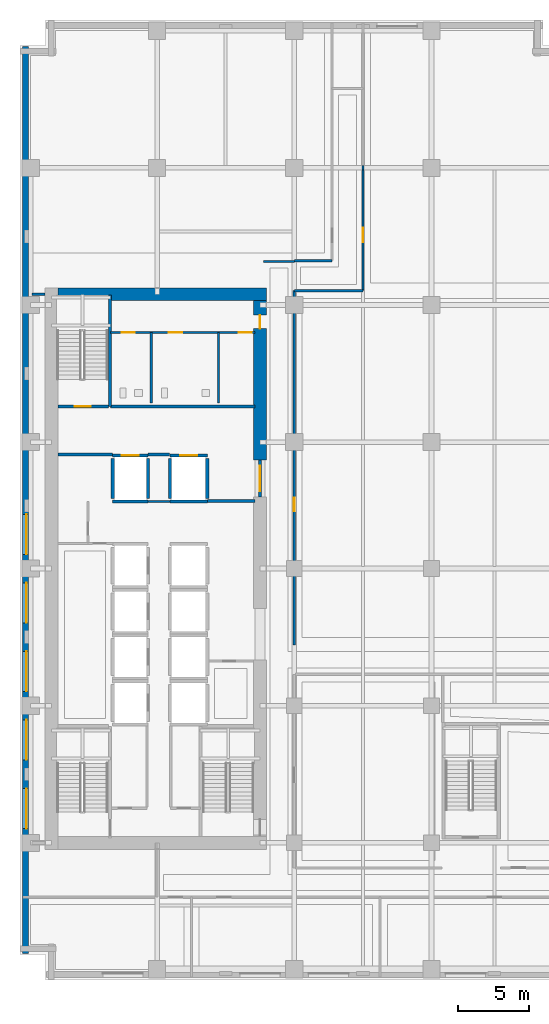
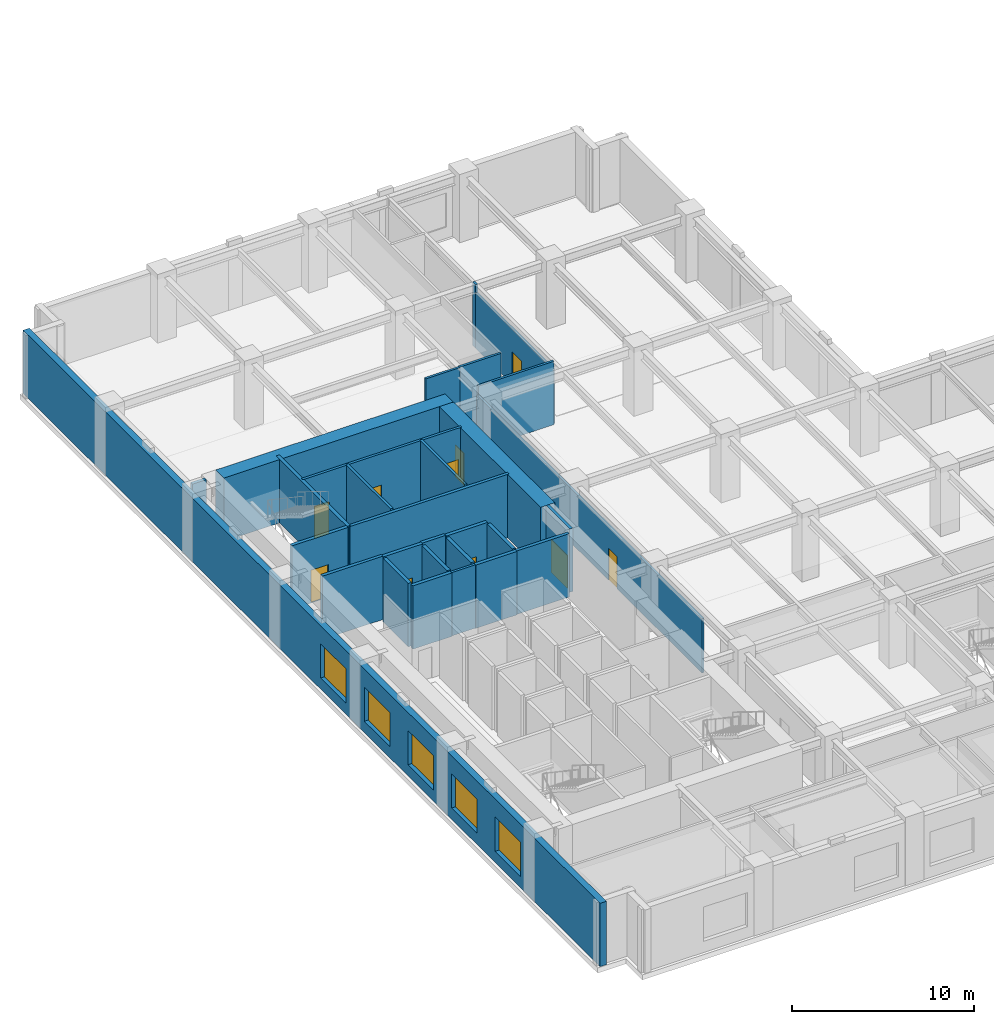
# One storey, part 7 of 24: 29 walls, 10 doors, 5 windows, 15 openings.
"""IFC4 building model written with IfcOpenShell, lengths in metres."""

from ifc_helpers import new_model, si_unit, direction, frame, frame_2d, origin, place, context, subcontext, project, spatial, rectangle, extrude, material, layer, layer_set, type_object, element, fill, save


model = new_model("IFC4")

# Units and contexts
model_context = context("Model", 3, precision=1e-05, world=origin(), true_north=direction((0.0, 1.0)))
body_context = subcontext(model_context, "Body", "Model", "MODEL_VIEW")
ifc_project = project(units=[si_unit("LENGTHUNIT", "METRE"), si_unit("AREAUNIT", "SQUARE_METRE"), si_unit("VOLUMEUNIT", "CUBIC_METRE"), si_unit("PLANEANGLEUNIT", "RADIAN"), si_unit("MASSUNIT", "GRAM", prefix="KILO")], contexts=[model_context])

# Site, building, storey
site_placement = place(None, origin())
site = spatial("IfcSite", under=ifc_project, at=site_placement, CompositionType="ELEMENT")
building_placement = place(site_placement, origin())
building = spatial("IfcBuilding", under=site, at=building_placement, Name="Norrvale University Quadrangle", CompositionType="ELEMENT")
storey_placement = place(building_placement, frame((0.0, 0.0, 10.39990234375)))
storey = spatial("IfcBuildingStorey", under=building, at=storey_placement, Name="L02", CompositionType="ELEMENT", Elevation=10.39990234375)

# Wall
ifc_material_1 = material(Name="Concrete C80/95", Category="concrete")
ifc_layer_1 = layer(ifc_material_1, 0.89990234375, Name="Concrete C80/95")
ifc_layer_set_1 = layer_set([ifc_layer_1], Name="Concrete C80/95")
wall_type_1 = type_object("IfcWallType", Name="Wall Core 900", PredefinedType="SHEAR", material=ifc_layer_set_1)
wall_1_placement = place(storey_placement, frame((2.64990234375, 48.0, 0.0), z_axis=(0.0, 0.0, 1.0), x_axis=(1.0, 0.0, 0.0)))
element("IfcWall", 1, at=wall_1_placement, inside=storey, type_object=wall_type_1, Name="Tower Core Shear Wall L02-N", PredefinedType="SHEAR", context=body_context, shape_type="SweptSolid", body=[
    extrude(rectangle(XDim=14.60009765625, YDim=0.89990234375, at=frame_2d((7.300048828125, 0.0))), origin(), (0.0, 0.0, 1.0), 4.260009765625),
])

# Wall, opening, door
wall_2_placement = place(storey_placement, frame((16.800048828125, 36.39990234375, 0.0), z_axis=(0.0, 0.0, 1.0), x_axis=(0.0, 1.0, 0.0)))
wall_2 = element("IfcWall", 2, at=wall_2_placement, inside=storey, type_object=wall_type_1, Name="Tower Core Shear Wall L02-E3", PredefinedType="SHEAR", context=body_context, shape_type="SweptSolid", body=[
    extrude(rectangle(XDim=11.150146484375, YDim=0.89990234375, at=frame_2d((5.5751953125, 0.0))), origin(), (0.0, 0.0, 1.0), 4.260009765625),
])
opening_1_placement = place(wall_2_placement, frame((9.199951171875, 0.0, 0.0)))
opening_1 = element("IfcOpeningElement", 3, at=opening_1_placement, cuts=wall_2, Name="Opening D07", PredefinedType="OPENING", context=body_context, shape_type="SweptSolid", body=[
    extrude(rectangle(XDim=0.949951171875, YDim=2.14990234375, at=frame_2d((0.47509765625, 1.074951171875))), frame((0.0, 0.4619140625, 0.0), z_axis=(0.0, -1.0, 0.0), x_axis=(1.0, 0.0, 0.0)), (0.0, 0.0, 1.0), 0.923828125),
])
ifc_material_2 = material(Name="Solid-Core Maple Door", Category="wood")
door_type_1 = type_object("IfcDoorType", Name="Door Office 950x2150", OperationType="NOTDEFINED", PredefinedType="DOOR", material=ifc_material_2)
door_1_placement = place(opening_1_placement, origin())
door_1 = element("IfcDoor", 4, at=door_1_placement, inside=storey, type_object=door_type_1, Name="Door Office 950x2150 DR-L02-NECORR", OperationType="SINGLE_SWING_LEFT", OverallHeight=2.14990234375, OverallWidth=0.949951171875, PredefinedType="DOOR", context=body_context, shape_type="SweptSolid", body=[
    extrude(rectangle(XDim=0.949951171875, YDim=2.14990234375, at=frame_2d((0.47509765625, 1.074951171875))), frame((0.0, 0.02490234375, 0.0), z_axis=(0.0, -1.0, 0.0), x_axis=(1.0, 0.0, 0.0)), (0.0, 0.0, 1.0), 0.050048828125),
])
fill(opening_1, door_1)

# Walls
ifc_material_3 = material(Name="Fire-Rated Gypsum Stud Partition")
ifc_layer_2 = layer(ifc_material_3, 0.14990234375, Name="Fire-Rated Gypsum Stud Partition")
ifc_layer_set_2 = layer_set([ifc_layer_2], Name="Fire-Rated Gypsum Stud Partition")
wall_type_2 = type_object("IfcWallType", Name="Wall Gypsum Corridor 150", PredefinedType="PARTITIONING", material=ifc_layer_set_2)
wall_3_placement = place(storey_placement, frame((8.965087890625, 33.489990234375, 0.0), z_axis=(0.0, 0.0, 1.0), x_axis=(1.0, 0.0, 0.0)))
element("IfcWall", 5, at=wall_3_placement, inside=storey, type_object=wall_type_2, Name="Interior Partition WL-L02-LL3", PredefinedType="PARTITIONING", context=body_context, shape_type="SweptSolid", body=[
    extrude(rectangle(XDim=1.52001953125, YDim=0.14990234375, at=frame_2d((0.760009765625, 0.0))), origin(), (0.0, 0.0, 1.0), 4.260009765625),
])
wall_4_placement = place(storey_placement, frame((17.050048828125, 50.300048828125, 0.0), z_axis=(0.0, 0.0, 1.0), x_axis=(1.0, 0.0, 0.0)))
element("IfcWall", 6, at=wall_4_placement, inside=storey, type_object=wall_type_2, Name="Interior Partition WL-L02-CN-END", PredefinedType="PARTITIONING", context=body_context, shape_type="SweptSolid", body=[
    extrude(rectangle(XDim=2.14990234375, YDim=0.14990234375, at=frame_2d((1.074951171875, 0.0))), origin(), (0.0, 0.0, 1.0), 4.260009765625),
])

# Wall, opening, door
wall_5_placement = place(storey_placement, frame((19.199951171875, 23.449951171875, 0.0), z_axis=(0.0, 0.0, 1.0), x_axis=(0.0, 1.0, 0.0)))
wall_5 = element("IfcWall", 7, at=wall_5_placement, inside=storey, type_object=wall_type_2, Name="Interior Partition WL-L02-MNECW", PredefinedType="PARTITIONING", context=body_context, shape_type="SweptSolid", body=[
    extrude(rectangle(XDim=24.800048828125, YDim=0.14990234375, at=frame_2d((12.39990234375, 0.0))), origin(), (0.0, 0.0, 1.0), 3.64404296875),
])
opening_2_placement = place(wall_5_placement, frame((9.35009765625, 0.0, 0.0)))
opening_2 = element("IfcOpeningElement", 8, at=opening_2_placement, cuts=wall_5, Name="Opening D07", PredefinedType="OPENING", context=body_context, shape_type="SweptSolid", body=[
    extrude(rectangle(XDim=0.949951171875, YDim=2.14990234375, at=frame_2d((0.47509765625, 1.074951171875))), frame((0.0, 0.0869140625, 0.0), z_axis=(0.0, -1.0, 0.0), x_axis=(1.0, 0.0, 0.0)), (0.0, 0.0, 1.0), 0.173828125),
])
door_2_placement = place(opening_2_placement, origin())
door_2 = element("IfcDoor", 9, at=door_2_placement, inside=storey, type_object=door_type_1, Name="Door Office 950x2150 DR-L02-MNE01", OperationType="SINGLE_SWING_RIGHT", OverallHeight=2.14990234375, OverallWidth=0.949951171875, PredefinedType="DOOR", context=body_context, shape_type="SweptSolid", body=[
    extrude(rectangle(XDim=0.949951171875, YDim=2.14990234375, at=frame_2d((0.47509765625, 1.074951171875))), frame((0.0, 0.02490234375, 0.0), z_axis=(0.0, -1.0, 0.0), x_axis=(1.0, 0.0, 0.0)), (0.0, 0.0, 1.0), 0.050048828125),
])
fill(opening_2, door_2)

# Walls
wall_6_placement = place(storey_placement, frame((19.199951171875, 48.25, 0.0), z_axis=(0.0, 0.0, 1.0), x_axis=(1.0, 0.0, 0.0)))
element("IfcWall", 10, at=wall_6_placement, inside=storey, type_object=wall_type_2, Name="Interior Partition WL-L02-JOGS", PredefinedType="PARTITIONING", context=body_context, shape_type="SweptSolid", body=[
    extrude(rectangle(XDim=4.800048828125, YDim=0.14990234375, at=frame_2d((2.39990234375, 0.0))), origin(), (0.0, 0.0, 1.0), 4.260009765625),
])
wall_7_placement = place(storey_placement, frame((19.199951171875, 50.35009765625, 0.0), z_axis=(0.0, 0.0, 1.0), x_axis=(1.0, 0.0, 0.0)))
element("IfcWall", 11, at=wall_7_placement, inside=storey, type_object=wall_type_2, Name="Interior Partition WL-L02-JOGN", PredefinedType="PARTITIONING", context=body_context, shape_type="SweptSolid", body=[
    extrude(rectangle(XDim=2.650146484375, YDim=0.14990234375, at=frame_2d((1.3251953125, 0.0))), origin(), (0.0, 0.0, 1.0), 4.260009765625),
])

# Wall, opening, door
wall_8_placement = place(storey_placement, frame((24.0, 48.25, 0.0), z_axis=(0.0, 0.0, 1.0), x_axis=(0.0, 1.0, 0.0)))
wall_8 = element("IfcWall", 12, at=wall_8_placement, inside=storey, type_object=wall_type_2, Name="Interior Partition WL-L02-NECW", PredefinedType="PARTITIONING", context=body_context, shape_type="SweptSolid", body=[
    extrude(rectangle(XDim=8.4375, YDim=0.14990234375, at=frame_2d((4.21875, 0.0))), origin(), (0.0, 0.0, 1.0), 3.716064453125),
])
opening_3_placement = place(wall_8_placement, frame((3.39990234375, 0.0, 0.0)))
opening_3 = element("IfcOpeningElement", 13, at=opening_3_placement, cuts=wall_8, Name="Opening D04", PredefinedType="OPENING", context=body_context, shape_type="SweptSolid", body=[
    extrude(rectangle(XDim=1.0, YDim=2.199951171875, at=frame_2d((0.5, 1.10009765625))), frame((0.0, 0.0869140625, 0.0), z_axis=(0.0, -1.0, 0.0), x_axis=(1.0, 0.0, 0.0)), (0.0, 0.0, 1.0), 0.173828125),
])
ifc_material_4 = material(Name="Solid-Core Oak Fire Door", Category="wood")
door_type_2 = type_object("IfcDoorType", Name="Door Corridor 1000x2200", OperationType="NOTDEFINED", PredefinedType="DOOR", material=ifc_material_4)
door_3_placement = place(opening_3_placement, origin())
door_3 = element("IfcDoor", 14, at=door_3_placement, inside=storey, type_object=door_type_2, Name="Door Corridor 1000x2200 DR-L02-NE01", OperationType="SINGLE_SWING_RIGHT", OverallHeight=2.199951171875, OverallWidth=1.0, PredefinedType="DOOR", context=body_context, shape_type="SweptSolid", body=[
    extrude(rectangle(XDim=1.0, YDim=2.199951171875, at=frame_2d((0.5, 1.10009765625))), frame((0.0, 0.02490234375, 0.0), z_axis=(0.0, -1.0, 0.0), x_axis=(1.0, 0.0, 0.0)), (0.0, 0.0, 1.0), 0.050048828125),
])
fill(opening_3, door_3)

# Wall
wall_9_placement = place(storey_placement, frame((24.0, 56.6875, 0.0), z_axis=(0.0, 0.0, 1.0), x_axis=(0.0, 1.0, 0.0)))
element("IfcWall", 15, at=wall_9_placement, inside=storey, type_object=wall_type_2, Name="Interior Partition WL-L02-NECW-B2", PredefinedType="PARTITIONING", context=body_context, shape_type="SweptSolid", body=[
    extrude(rectangle(XDim=0.324951171875, YDim=0.14990234375, at=frame_2d((0.16259765625, 0.0))), origin(), (0.0, 0.0, 1.0), 4.260009765625),
])

# Wall, openings, doors
ifc_material_5 = material(Name="Sanitary Chase Gypsum Partition")
ifc_layer_3 = layer(ifc_material_5, 0.1650390625, Name="Sanitary Chase Gypsum Partition")
ifc_layer_set_3 = layer_set([ifc_layer_3], Name="Sanitary Chase Gypsum Partition")
wall_type_3 = type_object("IfcWallType", Name="Wall Gypsum Sanitary 165", PredefinedType="PLUMBINGWALL", material=ifc_layer_set_3)
wall_10_placement = place(storey_placement, frame((6.320068359375, 45.320068359375, 0.0), z_axis=(0.0, 0.0, 1.0), x_axis=(1.0, 0.0, 0.0)))
wall_10 = element("IfcWall", 16, at=wall_10_placement, inside=storey, type_object=wall_type_3, Name="Interior Partition WL-L02-WCN", PredefinedType="PLUMBINGWALL", context=body_context, shape_type="SweptSolid", body=[
    extrude(rectangle(XDim=10.1298828125, YDim=0.1650390625, at=frame_2d((5.06494140625, 0.0))), origin(), (0.0, 0.0, 1.0), 4.260009765625),
])
opening_4_placement = place(wall_10_placement, frame((0.800048828125, 0.0, 0.0)))
opening_4 = element("IfcOpeningElement", 17, at=opening_4_placement, cuts=wall_10, Name="Opening D08", PredefinedType="OPENING", context=body_context, shape_type="SweptSolid", body=[
    extrude(rectangle(XDim=0.919921875, YDim=2.14990234375, at=frame_2d((0.4599609375, 1.074951171875))), frame((0.0, 0.094482421875, 0.0), z_axis=(0.0, -1.0, 0.0), x_axis=(1.0, 0.0, 0.0)), (0.0, 0.0, 1.0), 0.18896484375),
])
opening_5_placement = place(wall_10_placement, frame((4.10009765625, 0.0, 0.0)))
opening_5 = element("IfcOpeningElement", 18, at=opening_5_placement, cuts=wall_10, Name="Opening D08", PredefinedType="OPENING", context=body_context, shape_type="SweptSolid", body=[
    extrude(rectangle(XDim=0.919921875, YDim=2.14990234375, at=frame_2d((0.4599609375, 1.074951171875))), frame((0.0, 0.094482421875, 0.0), z_axis=(0.0, -1.0, 0.0), x_axis=(1.0, 0.0, 0.0)), (0.0, 0.0, 1.0), 0.18896484375),
])
opening_6_placement = place(wall_10_placement, frame((8.97998046875, 0.0, 0.0)))
opening_6 = element("IfcOpeningElement", 19, at=opening_6_placement, cuts=wall_10, Name="Opening D08", PredefinedType="OPENING", context=body_context, shape_type="SweptSolid", body=[
    extrude(rectangle(XDim=0.919921875, YDim=2.14990234375, at=frame_2d((0.4599609375, 1.074951171875))), frame((0.0, 0.094482421875, 0.0), z_axis=(0.0, -1.0, 0.0), x_axis=(1.0, 0.0, 0.0)), (0.0, 0.0, 1.0), 0.18896484375),
])
ifc_material_6 = material(Name="Laminate Washroom Door", Category="wood")
door_type_3 = type_object("IfcDoorType", Name="Door Washroom 920x2150", OperationType="NOTDEFINED", PredefinedType="DOOR", material=ifc_material_6)
door_4_placement = place(opening_4_placement, origin())
door_4 = element("IfcDoor", 20, at=door_4_placement, inside=storey, type_object=door_type_3, Name="Door Washroom 920x2150 DR-L02-WC1", OperationType="SINGLE_SWING_LEFT", OverallHeight=2.14990234375, OverallWidth=0.919921875, PredefinedType="DOOR", context=body_context, shape_type="SweptSolid", body=[
    extrude(rectangle(XDim=0.919921875, YDim=2.14990234375, at=frame_2d((0.4599609375, 1.074951171875))), frame((0.0, 0.02490234375, 0.0), z_axis=(0.0, -1.0, 0.0), x_axis=(1.0, 0.0, 0.0)), (0.0, 0.0, 1.0), 0.050048828125),
])
fill(opening_4, door_4)
door_5_placement = place(opening_5_placement, origin())
door_5 = element("IfcDoor", 21, at=door_5_placement, inside=storey, type_object=door_type_3, Name="Door Washroom 920x2150 DR-L02-WC2", OperationType="SINGLE_SWING_RIGHT", OverallHeight=2.14990234375, OverallWidth=0.919921875, PredefinedType="DOOR", context=body_context, shape_type="SweptSolid", body=[
    extrude(rectangle(XDim=0.919921875, YDim=2.14990234375, at=frame_2d((0.4599609375, 1.074951171875))), frame((0.0, 0.02490234375, 0.0), z_axis=(0.0, -1.0, 0.0), x_axis=(1.0, 0.0, 0.0)), (0.0, 0.0, 1.0), 0.050048828125),
])
fill(opening_5, door_5)
door_6_placement = place(opening_6_placement, origin())
door_6 = element("IfcDoor", 22, at=door_6_placement, inside=storey, type_object=door_type_3, Name="Door Washroom 920x2150 DR-L02-WC3", OperationType="SINGLE_SWING_LEFT", OverallHeight=2.14990234375, OverallWidth=0.919921875, PredefinedType="DOOR", context=body_context, shape_type="SweptSolid", body=[
    extrude(rectangle(XDim=0.919921875, YDim=2.14990234375, at=frame_2d((0.4599609375, 1.074951171875))), frame((0.0, 0.02490234375, 0.0), z_axis=(0.0, -1.0, 0.0), x_axis=(1.0, 0.0, 0.0)), (0.0, 0.0, 1.0), 0.050048828125),
])
fill(opening_6, door_6)

# Walls
for number, where, z_axis, x_axis, name in (
    (23, (9.199951171875, 40.39990234375, 0.0), (0.0, 0.0, 1.0), (0.0, 1.0, 0.0), "Interior Partition WL-L02-WCM1"),
    (24, (13.89990234375, 40.39990234375, 0.0), (0.0, 0.0, 1.0), (0.0, 1.0, 0.0), "Interior Partition WL-L02-WCM2"),
):
    element("IfcWall", number, at=place(storey_placement, frame(where, z_axis=z_axis, x_axis=x_axis)), inside=storey, type_object=wall_type_3, Name=name, PredefinedType="PLUMBINGWALL", context=body_context, shape_type="SweptSolid", body=[
        extrude(rectangle(XDim=4.920166015625, YDim=0.1650390625, at=frame_2d((2.4599609375, 0.0))), origin(), (0.0, 0.0, 1.0), 4.260009765625),
    ])
ifc_material_7 = material(Name="Concrete Blockwork 20 MPa Rated Wall", Category="masonry")
ifc_layer_4 = layer(ifc_material_7, 0.199951171875, Name="Concrete Blockwork 20 MPa Rated Wall")
ifc_layer_set_4 = layer_set([ifc_layer_4], Name="Concrete Blockwork 20 MPa Rated Wall")
wall_type_4 = type_object("IfcWallType", Name="Wall Lobby 200", PredefinedType="SOLIDWALL", material=ifc_layer_set_4)
wall_11_placement = place(storey_placement, frame((2.64990234375, 36.780029296875, 0.0), z_axis=(0.0, 0.0, 1.0), x_axis=(1.0, 0.0, 0.0)))
element("IfcWall", 25, at=wall_11_placement, inside=storey, type_object=wall_type_4, Name="Interior Partition WL-L02-FF1", PredefinedType="SOLIDWALL", context=body_context, shape_type="SweptSolid", body=[
    extrude(rectangle(XDim=3.830078125, YDim=0.199951171875, at=frame_2d((1.9150390625, 0.0))), origin(), (0.0, 0.0, 1.0), 4.260009765625),
])
wall_12_placement = place(storey_placement, frame((8.969970703125, 36.780029296875, 0.0), z_axis=(0.0, 0.0, 1.0), x_axis=(1.0, 0.0, 0.0)))
element("IfcWall", 26, at=wall_12_placement, inside=storey, type_object=wall_type_4, Name="Interior Partition WL-L02-FF2", PredefinedType="SOLIDWALL", context=body_context, shape_type="SweptSolid", body=[
    extrude(rectangle(XDim=1.510009765625, YDim=0.199951171875, at=frame_2d((0.7548828125, 0.0))), origin(), (0.0, 0.0, 1.0), 4.260009765625),
])
wall_13_placement = place(storey_placement, frame((13.1201171875, 33.52001953125, 0.0), z_axis=(0.0, 0.0, 1.0), x_axis=(1.0, 0.0, 0.0)))
element("IfcWall", 27, at=wall_13_placement, inside=storey, type_object=wall_type_4, Name="Interior Partition WL-L02-FF3", PredefinedType="SOLIDWALL", context=body_context, shape_type="SweptSolid", body=[
    extrude(rectangle(XDim=3.329833984375, YDim=0.199951171875, at=frame_2d((1.6650390625, 0.0))), origin(), (0.0, 0.0, 1.0), 4.260009765625),
])
wall_14_placement = place(storey_placement, frame((6.320068359375, 40.139892578125, 0.0), z_axis=(0.0, 0.0, 1.0), x_axis=(1.0, 0.0, 0.0)))
element("IfcWall", 28, at=wall_14_placement, inside=storey, type_object=wall_type_4, Name="Interior Partition WL-L02-FF4", PredefinedType="SOLIDWALL", context=body_context, shape_type="SweptSolid", body=[
    extrude(rectangle(XDim=10.1298828125, YDim=0.199951171875, at=frame_2d((5.06494140625, 0.0))), origin(), (0.0, 0.0, 1.0), 4.260009765625),
])

# Wall, opening, door
wall_15_placement = place(storey_placement, frame((16.800048828125, 33.800048828125, 0.0), z_axis=(0.0, 0.0, 1.0), x_axis=(0.0, 1.0, 0.0)))
wall_15 = element("IfcWall", 29, at=wall_15_placement, inside=storey, type_object=wall_type_4, Name="Interior Partition WL-L02-FFP", PredefinedType="SOLIDWALL", context=body_context, shape_type="SweptSolid", body=[
    extrude(rectangle(XDim=2.599853515625, YDim=0.199951171875, at=frame_2d((1.2998046875, 0.0))), origin(), (0.0, 0.0, 1.0), 4.260009765625),
])
opening_7_placement = place(wall_15_placement, frame((0.39990234375, 0.0, 0.0)))
opening_7 = element("IfcOpeningElement", 30, at=opening_7_placement, cuts=wall_15, Name="Opening D03", PredefinedType="OPENING", context=body_context, shape_type="SweptSolid", body=[
    extrude(rectangle(XDim=1.800048828125, YDim=2.199951171875, at=frame_2d((0.89990234375, 1.10009765625))), frame((0.0, 0.112060546875, 0.0), z_axis=(0.0, -1.0, 0.0), x_axis=(1.0, 0.0, 0.0)), (0.0, 0.0, 1.0), 0.223876953125),
])
ifc_material_8 = material(Name="Hollow Steel 350W Fire Door", Category="steel")
door_type_4 = type_object("IfcDoorType", Name="Door Fire Lobby 1800x2200", OperationType="DOUBLE_DOOR_SINGLE_SWING", PredefinedType="DOOR", material=ifc_material_8)
door_7_placement = place(opening_7_placement, origin())
door_7 = element("IfcDoor", 31, at=door_7_placement, inside=storey, type_object=door_type_4, Name="Door Fire Lobby 1800x2200 DR-L02-FFP", OperationType="DOUBLE_DOOR_SINGLE_SWING", OverallHeight=2.199951171875, OverallWidth=1.800048828125, PredefinedType="DOOR", context=body_context, shape_type="SweptSolid", body=[
    extrude(rectangle(XDim=1.800048828125, YDim=2.199951171875, at=frame_2d((0.89990234375, 1.10009765625))), frame((0.0, 0.02490234375, 0.0), z_axis=(0.0, -1.0, 0.0), x_axis=(1.0, 0.0, 0.0)), (0.0, 0.0, 1.0), 0.050048828125),
])
fill(opening_7, door_7)

# Wall
wall_16_placement = place(storey_placement, frame((0.85009765625, 48.0, 0.0), z_axis=(0.0, 0.0, 1.0), x_axis=(1.0, 0.0, 0.0)))
element("IfcWall", 32, at=wall_16_placement, inside=storey, type_object=wall_type_4, Name="Interior Partition WL-L02-CWRET-N", PredefinedType="SOLIDWALL", context=body_context, shape_type="SweptSolid", body=[
    extrude(rectangle(XDim=0.89501953125, YDim=0.199951171875, at=frame_2d((0.447509765625, 0.0))), origin(), (0.0, 0.0, 1.0), 4.260009765625),
])

# Wall, openings, windows
ifc_material_9 = material(Name="Red Manganese Brick Masonry", Category="masonry")
ifc_layer_5 = layer(ifc_material_9, 0.39990234375, Name="Red Manganese Brick Masonry")
ifc_layer_set_5 = layer_set([ifc_layer_5], Name="Red Manganese Brick Masonry")
wall_type_5 = type_object("IfcWallType", Name="Wall Red Brick 400", PredefinedType="SOLIDWALL", material=ifc_layer_set_5)
wall_17_placement = place(storey_placement, frame((0.3798828125, 65.360107421875, 0.0), z_axis=(0.0, 0.0, 1.0), x_axis=(0.0, -1.0, 0.0)))
wall_17 = element("IfcWall", 33, at=wall_17_placement, inside=storey, type_object=wall_type_5, Name="Exterior Brick Facade Wall L02-14.1", PredefinedType="SOLIDWALL", context=body_context, shape_type="SweptSolid", body=[
    extrude(rectangle(XDim=63.52001953125, YDim=0.39990234375, at=frame_2d((31.760009765625, 0.0))), origin(), (0.0, 0.0, 1.0), 4.260009765625),
])
opening_8_placement = place(wall_17_placement, frame((32.760009765625, 0.0, 0.75)))
opening_8 = element("IfcOpeningElement", 34, at=opening_8_placement, cuts=wall_17, Name="Opening W05", PredefinedType="OPENING", context=body_context, shape_type="SweptSolid", body=[
    extrude(rectangle(XDim=2.800048828125, YDim=2.300048828125, at=frame_2d((1.39990234375, 1.14990234375))), frame((0.0, 0.2119140625, 0.0), z_axis=(0.0, -1.0, 0.0), x_axis=(1.0, 0.0, 0.0)), (0.0, 0.0, 1.0), 0.423828125),
])
opening_9_placement = place(wall_17_placement, frame((37.56005859375, 0.0, 0.75)))
opening_9 = element("IfcOpeningElement", 35, at=opening_9_placement, cuts=wall_17, Name="Opening W05", PredefinedType="OPENING", context=body_context, shape_type="SweptSolid", body=[
    extrude(rectangle(XDim=2.800048828125, YDim=2.300048828125, at=frame_2d((1.39990234375, 1.14990234375))), frame((0.0, 0.2119140625, 0.0), z_axis=(0.0, -1.0, 0.0), x_axis=(1.0, 0.0, 0.0)), (0.0, 0.0, 1.0), 0.423828125),
])
opening_10_placement = place(wall_17_placement, frame((42.360107421875, 0.0, 0.75)))
opening_10 = element("IfcOpeningElement", 36, at=opening_10_placement, cuts=wall_17, Name="Opening W05", PredefinedType="OPENING", context=body_context, shape_type="SweptSolid", body=[
    extrude(rectangle(XDim=2.800048828125, YDim=2.300048828125, at=frame_2d((1.39990234375, 1.14990234375))), frame((0.0, 0.2119140625, 0.0), z_axis=(0.0, -1.0, 0.0), x_axis=(1.0, 0.0, 0.0)), (0.0, 0.0, 1.0), 0.423828125),
])
opening_11_placement = place(wall_17_placement, frame((47.159912109375, 0.0, 0.75)))
opening_11 = element("IfcOpeningElement", 37, at=opening_11_placement, cuts=wall_17, Name="Opening W05", PredefinedType="OPENING", context=body_context, shape_type="SweptSolid", body=[
    extrude(rectangle(XDim=2.800048828125, YDim=2.300048828125, at=frame_2d((1.39990234375, 1.14990234375))), frame((0.0, 0.2119140625, 0.0), z_axis=(0.0, -1.0, 0.0), x_axis=(1.0, 0.0, 0.0)), (0.0, 0.0, 1.0), 0.423828125),
])
opening_12_placement = place(wall_17_placement, frame((51.9599609375, 0.0, 0.75)))
opening_12 = element("IfcOpeningElement", 38, at=opening_12_placement, cuts=wall_17, Name="Opening W05", PredefinedType="OPENING", context=body_context, shape_type="SweptSolid", body=[
    extrude(rectangle(XDim=2.800048828125, YDim=2.300048828125, at=frame_2d((1.39990234375, 1.14990234375))), frame((0.0, 0.2119140625, 0.0), z_axis=(0.0, -1.0, 0.0), x_axis=(1.0, 0.0, 0.0)), (0.0, 0.0, 1.0), 0.423828125),
])
ifc_material_10 = material(Name="Bird-Friendly Fritted Triple Glazing", Category="glass")
window_type = type_object("IfcWindowType", Name="Window Podium 2800x2800", PartitioningType="TRIPLE_PANEL_VERTICAL", PredefinedType="WINDOW", material=ifc_material_10)
window_1_placement = place(opening_8_placement, origin())
window_1 = element("IfcWindow", 39, at=window_1_placement, inside=storey, type_object=window_type, Name="Window Podium 2800x2800 WIN-L02-E14-1-01", OverallHeight=2.300048828125, OverallWidth=2.800048828125, PartitioningType="TRIPLE_PANEL_VERTICAL", PredefinedType="WINDOW", context=body_context, shape_type="SweptSolid", body=[
    extrude(rectangle(XDim=2.800048828125, YDim=2.300048828125, at=frame_2d((1.39990234375, 1.14990234375))), frame((0.0, 0.110107421875, 0.0), z_axis=(0.0, -1.0, 0.0), x_axis=(1.0, 0.0, 0.0)), (0.0, 0.0, 1.0), 0.06005859375),
])
fill(opening_8, window_1)
window_2_placement = place(opening_9_placement, origin())
window_2 = element("IfcWindow", 40, at=window_2_placement, inside=storey, type_object=window_type, Name="Window Podium 2800x2800 WIN-L02-E14-1-02", OverallHeight=2.300048828125, OverallWidth=2.800048828125, PartitioningType="TRIPLE_PANEL_VERTICAL", PredefinedType="WINDOW", context=body_context, shape_type="SweptSolid", body=[
    extrude(rectangle(XDim=2.800048828125, YDim=2.300048828125, at=frame_2d((1.39990234375, 1.14990234375))), frame((0.0, 0.110107421875, 0.0), z_axis=(0.0, -1.0, 0.0), x_axis=(1.0, 0.0, 0.0)), (0.0, 0.0, 1.0), 0.06005859375),
])
fill(opening_9, window_2)
window_3_placement = place(opening_10_placement, origin())
window_3 = element("IfcWindow", 41, at=window_3_placement, inside=storey, type_object=window_type, Name="Window Podium 2800x2800 WIN-L02-E14-1-03", OverallHeight=2.300048828125, OverallWidth=2.800048828125, PartitioningType="TRIPLE_PANEL_VERTICAL", PredefinedType="WINDOW", context=body_context, shape_type="SweptSolid", body=[
    extrude(rectangle(XDim=2.800048828125, YDim=2.300048828125, at=frame_2d((1.39990234375, 1.14990234375))), frame((0.0, 0.110107421875, 0.0), z_axis=(0.0, -1.0, 0.0), x_axis=(1.0, 0.0, 0.0)), (0.0, 0.0, 1.0), 0.06005859375),
])
fill(opening_10, window_3)
window_4_placement = place(opening_11_placement, origin())
window_4 = element("IfcWindow", 42, at=window_4_placement, inside=storey, type_object=window_type, Name="Window Podium 2800x2800 WIN-L02-E14-1-04", OverallHeight=2.300048828125, OverallWidth=2.800048828125, PartitioningType="TRIPLE_PANEL_VERTICAL", PredefinedType="WINDOW", context=body_context, shape_type="SweptSolid", body=[
    extrude(rectangle(XDim=2.800048828125, YDim=2.300048828125, at=frame_2d((1.39990234375, 1.14990234375))), frame((0.0, 0.110107421875, 0.0), z_axis=(0.0, -1.0, 0.0), x_axis=(1.0, 0.0, 0.0)), (0.0, 0.0, 1.0), 0.06005859375),
])
fill(opening_11, window_4)
window_5_placement = place(opening_12_placement, origin())
window_5 = element("IfcWindow", 43, at=window_5_placement, inside=storey, type_object=window_type, Name="Window Podium 2800x2800 WIN-L02-E14-1-05", OverallHeight=2.300048828125, OverallWidth=2.800048828125, PartitioningType="TRIPLE_PANEL_VERTICAL", PredefinedType="WINDOW", context=body_context, shape_type="SweptSolid", body=[
    extrude(rectangle(XDim=2.800048828125, YDim=2.300048828125, at=frame_2d((1.39990234375, 1.14990234375))), frame((0.0, 0.110107421875, 0.0), z_axis=(0.0, -1.0, 0.0), x_axis=(1.0, 0.0, 0.0)), (0.0, 0.0, 1.0), 0.06005859375),
])
fill(opening_12, window_5)

# Wall, opening, door
ifc_material_11 = material(Name="Concrete Blockwork 20 MPa Fire Shaft", Category="masonry")
ifc_layer_6 = layer(ifc_material_11, 0.219970703125, Name="Concrete Blockwork 20 MPa Fire Shaft")
ifc_layer_set_6 = layer_set([ifc_layer_6], Name="Concrete Blockwork 20 MPa Fire Shaft")
wall_type_6 = type_object("IfcWallType", Name="Wall Shaft 220", PredefinedType="SOLIDWALL", material=ifc_layer_set_6)
wall_18_placement = place(storey_placement, frame((2.64990234375, 40.139892578125, 0.0), z_axis=(0.0, 0.0, 1.0), x_axis=(1.0, 0.0, 0.0)))
wall_18 = element("IfcWall", 44, at=wall_18_placement, inside=storey, type_object=wall_type_6, Name="Stair ST-02 South Shaft Wall L02", PredefinedType="SOLIDWALL", context=body_context, shape_type="SweptSolid", body=[
    extrude(rectangle(XDim=3.550048828125, YDim=0.219970703125, at=frame_2d((1.77490234375, 0.0))), origin(), (0.0, 0.0, 1.0), 4.260009765625),
])
opening_13_placement = place(wall_18_placement, frame((1.199951171875, 0.0, 0.0)))
opening_13 = element("IfcOpeningElement", 45, at=opening_13_placement, cuts=wall_18, Name="Opening D02", PredefinedType="OPENING", context=body_context, shape_type="SweptSolid", body=[
    extrude(rectangle(XDim=1.10009765625, YDim=2.199951171875, at=frame_2d((0.550048828125, 1.10009765625))), frame((0.0, 0.1220703125, 0.0), z_axis=(0.0, -1.0, 0.0), x_axis=(1.0, 0.0, 0.0)), (0.0, 0.0, 1.0), 0.243896484375),
])
door_type_5 = type_object("IfcDoorType", Name="Door Stair Exit 1100x2200", OperationType="NOTDEFINED", PredefinedType="DOOR", material=ifc_material_8)
door_8_placement = place(opening_13_placement, origin())
door_8 = element("IfcDoor", 46, at=door_8_placement, inside=storey, type_object=door_type_5, Name="Door Stair Exit 1100x2200 DR-L02-ST02", OperationType="SINGLE_SWING_LEFT", OverallHeight=2.199951171875, OverallWidth=1.10009765625, PredefinedType="DOOR", context=body_context, shape_type="SweptSolid", body=[
    extrude(rectangle(XDim=1.10009765625, YDim=2.199951171875, at=frame_2d((0.550048828125, 1.10009765625))), frame((0.0, 0.02490234375, 0.0), z_axis=(0.0, -1.0, 0.0), x_axis=(1.0, 0.0, 0.0)), (0.0, 0.0, 1.0), 0.050048828125),
])
fill(opening_13, door_8)

# Walls
wall_19_placement = place(storey_placement, frame((6.31005859375, 40.139892578125, 0.0), z_axis=(0.0, 0.0, 1.0), x_axis=(0.0, 1.0, 0.0)))
element("IfcWall", 47, at=wall_19_placement, inside=storey, type_object=wall_type_6, Name="Stair ST-02 East Shaft Wall L02", PredefinedType="SOLIDWALL", context=body_context, shape_type="SweptSolid", body=[
    extrude(rectangle(XDim=7.81005859375, YDim=0.219970703125, at=frame_2d((3.905029296875, 0.0))), origin(), (0.0, 0.0, 1.0), 4.260009765625),
])
for number, where, z_axis, x_axis, name in (
    (48, (6.489990234375, 33.7099609375, 0.0), (0.0, 0.0, 1.0), (0.0, 1.0, 0.0), "Hoistway FFL-01 West Wall L02"),
    (49, (8.9599609375, 33.7099609375, 0.0), (0.0, 0.0, 1.0), (0.0, 1.0, 0.0), "Hoistway FFL-01 East Wall L02"),
):
    element("IfcWall", number, at=place(storey_placement, frame(where, z_axis=z_axis, x_axis=x_axis)), inside=storey, type_object=wall_type_6, Name=name, PredefinedType="SOLIDWALL", context=body_context, shape_type="SweptSolid", body=[
        extrude(rectangle(XDim=2.780029296875, YDim=0.219970703125, at=frame_2d((1.39013671875, 0.0))), origin(), (0.0, 0.0, 1.0), 4.260009765625),
    ])
wall_20_placement = place(storey_placement, frame((6.489990234375, 33.489990234375, 0.0), z_axis=(0.0, 0.0, 1.0), x_axis=(1.0, 0.0, 0.0)))
element("IfcWall", 50, at=wall_20_placement, inside=storey, type_object=wall_type_6, Name="Hoistway FFL-01 South Wall L02", PredefinedType="SOLIDWALL", context=body_context, shape_type="SweptSolid", body=[
    extrude(rectangle(XDim=2.469970703125, YDim=0.219970703125, at=frame_2d((1.23486328125, 0.0))), origin(), (0.0, 0.0, 1.0), 4.260009765625),
])

# Wall, opening, door
wall_21_placement = place(storey_placement, frame((6.489990234375, 36.7099609375, 0.0), z_axis=(0.0, 0.0, 1.0), x_axis=(1.0, 0.0, 0.0)))
wall_21 = element("IfcWall", 51, at=wall_21_placement, inside=storey, type_object=wall_type_6, Name="Hoistway FFL-01 North Wall L02", PredefinedType="SOLIDWALL", context=body_context, shape_type="SweptSolid", body=[
    extrude(rectangle(XDim=2.469970703125, YDim=0.219970703125, at=frame_2d((1.23486328125, 0.0))), origin(), (0.0, 0.0, 1.0), 4.260009765625),
])
opening_14_placement = place(wall_21_placement, frame((0.635009765625, 0.0, 0.0)))
opening_14 = element("IfcOpeningElement", 52, at=opening_14_placement, cuts=wall_21, Name="Opening LD2", PredefinedType="OPENING", context=body_context, shape_type="SweptSolid", body=[
    extrude(rectangle(XDim=1.199951171875, YDim=2.199951171875, at=frame_2d((0.60009765625, 1.10009765625))), frame((0.0, 0.1220703125, 0.0), z_axis=(0.0, -1.0, 0.0), x_axis=(1.0, 0.0, 0.0)), (0.0, 0.0, 1.0), 0.243896484375),
])
ifc_material_12 = material(Name="Stainless Steel 316L Firefighter Lift Door", Category="steel")
door_type_6 = type_object("IfcDoorType", Name="Door Fire Lift 1200x2200", OperationType="DOUBLE_DOOR_SLIDING", PredefinedType="DOOR", material=ifc_material_12)
door_9_placement = place(opening_14_placement, origin())
door_9 = element("IfcDoor", 53, at=door_9_placement, inside=storey, type_object=door_type_6, Name="Elevator Landing Door DR-L02-FFL-01", OperationType="DOUBLE_DOOR_SLIDING", OverallHeight=2.199951171875, OverallWidth=1.199951171875, PredefinedType="DOOR", context=body_context, shape_type="SweptSolid", body=[
    extrude(rectangle(XDim=1.199951171875, YDim=2.199951171875, at=frame_2d((0.60009765625, 1.10009765625))), frame((0.0, 0.02490234375, 0.0), z_axis=(0.0, -1.0, 0.0), x_axis=(1.0, 0.0, 0.0)), (0.0, 0.0, 1.0), 0.050048828125),
])
fill(opening_14, door_9)

# Walls
for number, where, z_axis, x_axis, name in (
    (54, (10.489990234375, 33.7099609375, 0.0), (0.0, 0.0, 1.0), (0.0, 1.0, 0.0), "Hoistway FFL-02 West Wall L02"),
    (55, (13.110107421875, 33.7099609375, 0.0), (0.0, 0.0, 1.0), (0.0, 1.0, 0.0), "Hoistway FFL-02 East Wall L02"),
):
    element("IfcWall", number, at=place(storey_placement, frame(where, z_axis=z_axis, x_axis=x_axis)), inside=storey, type_object=wall_type_6, Name=name, PredefinedType="SOLIDWALL", context=body_context, shape_type="SweptSolid", body=[
        extrude(rectangle(XDim=2.780029296875, YDim=0.219970703125, at=frame_2d((1.39013671875, 0.0))), origin(), (0.0, 0.0, 1.0), 4.260009765625),
    ])
wall_22_placement = place(storey_placement, frame((10.489990234375, 33.489990234375, 0.0), z_axis=(0.0, 0.0, 1.0), x_axis=(1.0, 0.0, 0.0)))
element("IfcWall", 56, at=wall_22_placement, inside=storey, type_object=wall_type_6, Name="Hoistway FFL-02 South Wall L02", PredefinedType="SOLIDWALL", context=body_context, shape_type="SweptSolid", body=[
    extrude(rectangle(XDim=2.6201171875, YDim=0.219970703125, at=frame_2d((1.31005859375, 0.0))), origin(), (0.0, 0.0, 1.0), 4.260009765625),
])

# Wall, opening, door
wall_23_placement = place(storey_placement, frame((10.489990234375, 36.7099609375, 0.0), z_axis=(0.0, 0.0, 1.0), x_axis=(1.0, 0.0, 0.0)))
wall_23 = element("IfcWall", 57, at=wall_23_placement, inside=storey, type_object=wall_type_6, Name="Hoistway FFL-02 North Wall L02", PredefinedType="SOLIDWALL", context=body_context, shape_type="SweptSolid", body=[
    extrude(rectangle(XDim=2.6201171875, YDim=0.219970703125, at=frame_2d((1.31005859375, 0.0))), origin(), (0.0, 0.0, 1.0), 4.260009765625),
])
opening_15_placement = place(wall_23_placement, frame((0.7099609375, 0.0, 0.0)))
opening_15 = element("IfcOpeningElement", 58, at=opening_15_placement, cuts=wall_23, Name="Opening LD2", PredefinedType="OPENING", context=body_context, shape_type="SweptSolid", body=[
    extrude(rectangle(XDim=1.199951171875, YDim=2.199951171875, at=frame_2d((0.60009765625, 1.10009765625))), frame((0.0, 0.1220703125, 0.0), z_axis=(0.0, -1.0, 0.0), x_axis=(1.0, 0.0, 0.0)), (0.0, 0.0, 1.0), 0.243896484375),
])
door_10_placement = place(opening_15_placement, origin())
door_10 = element("IfcDoor", 59, at=door_10_placement, inside=storey, type_object=door_type_6, Name="Elevator Landing Door DR-L02-FFL-02", OperationType="DOUBLE_DOOR_SLIDING", OverallHeight=2.199951171875, OverallWidth=1.199951171875, PredefinedType="DOOR", context=body_context, shape_type="SweptSolid", body=[
    extrude(rectangle(XDim=1.199951171875, YDim=2.199951171875, at=frame_2d((0.60009765625, 1.10009765625))), frame((0.0, 0.02490234375, 0.0), z_axis=(0.0, -1.0, 0.0), x_axis=(1.0, 0.0, 0.0)), (0.0, 0.0, 1.0), 0.050048828125),
])
fill(opening_15, door_10)

save(model, "model.ifc")
